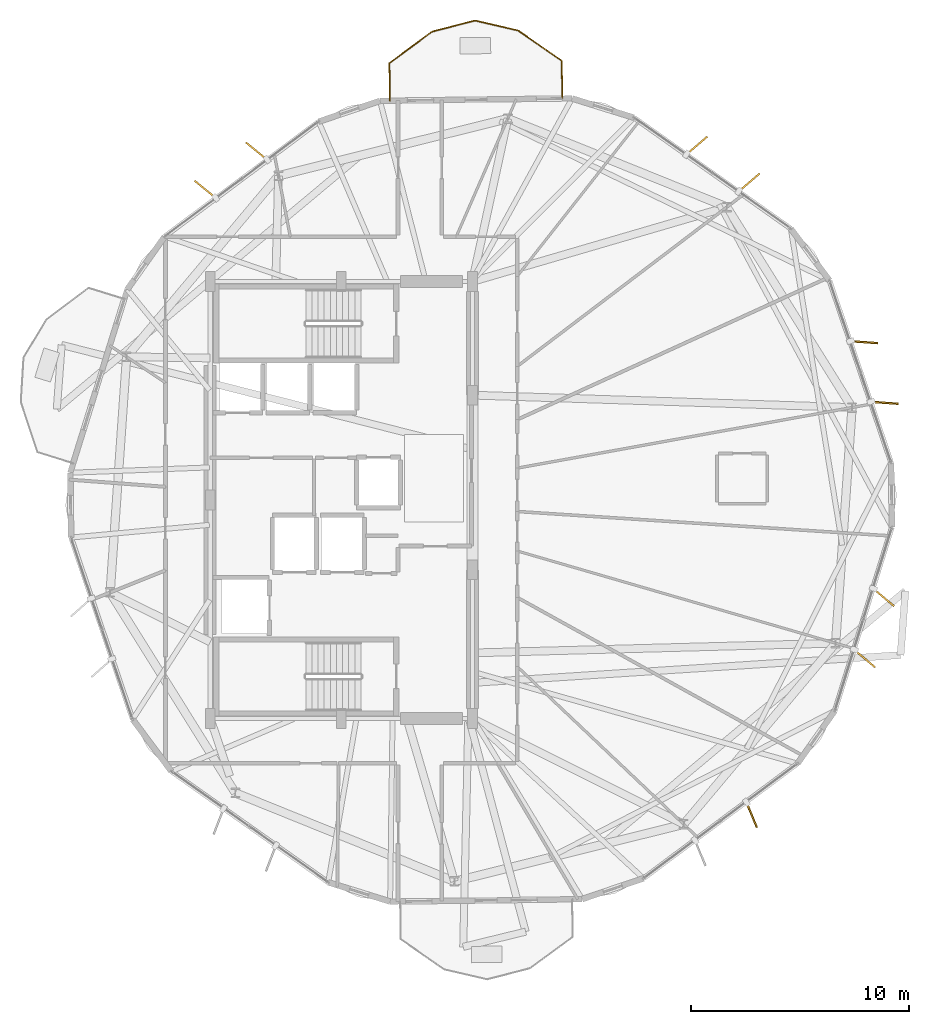
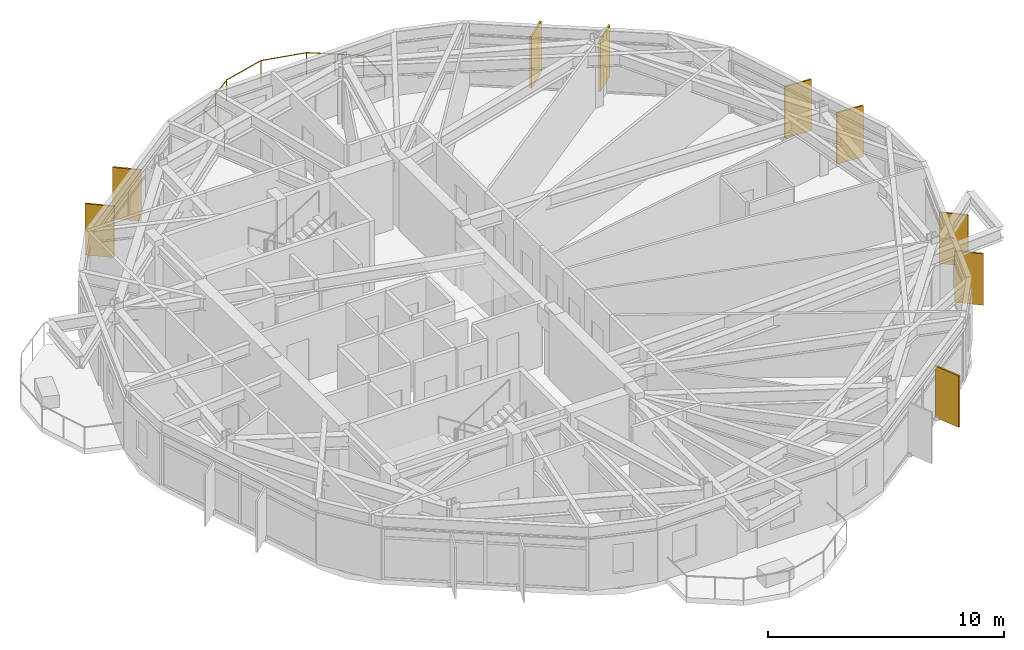
# One storey, part 27 of 27: 9 shading devices, 1 railing.
"""IFC4 building model written with IfcOpenShell, lengths in metres."""

from ifc_helpers import new_model, si_unit, direction, frame, origin, origin_2d, place, context, subcontext, project, spatial, rectangle, circle, extrude, material, layer, layer_set, type_object, element, save


model = new_model("IFC4")

# Units and contexts
model_context = context("Model", 3, precision=1e-05, world=origin(), true_north=direction((0.0, 1.0)))
body_context = subcontext(model_context, "Body", "Model", "MODEL_VIEW")
ifc_project = project(units=[si_unit("LENGTHUNIT", "METRE"), si_unit("AREAUNIT", "SQUARE_METRE"), si_unit("VOLUMEUNIT", "CUBIC_METRE"), si_unit("PLANEANGLEUNIT", "RADIAN"), si_unit("MASSUNIT", "GRAM", prefix="KILO")], contexts=[model_context])

# Site, building, storey
site_placement = place(None, origin())
site = spatial("IfcSite", under=ifc_project, at=site_placement, CompositionType="ELEMENT")
building_placement = place(site_placement, origin())
building = spatial("IfcBuilding", under=site, at=building_placement, Name="Soratama Intermodal Tower", CompositionType="ELEMENT")
storey_placement = place(building_placement, frame((0.0, 0.0, 167.800048828125)))
storey = spatial("IfcBuildingStorey", under=building, at=storey_placement, Name="L41", CompositionType="ELEMENT", Elevation=167.800048828125)

# Railing
ifc_material_1 = material(Name="Laminated glass and stainless steel balustrade", Category="steel")
railing_type = type_object("IfcRailingType", Name="RL-BAL-1150", PredefinedType="BALUSTRADE", material=ifc_material_1)
railing_placement = place(storey_placement, frame((40.82421875, 43.278076171875, 0.0)))
element("IfcRailing", 1, at=railing_placement, inside=storey, type_object=railing_type, Name="L41 Balcony Balustrade 1", PredefinedType="BALUSTRADE", context=body_context, shape_type="SweptSolid", body=[
    extrude(circle(Radius=0.02392578125, at=origin_2d()), frame((0.0, 0.0, 1.1259765625), z_axis=(-0.01263385816, 0.999920189629, 0.0), x_axis=(-0.999920189629, -0.01263385816, 0.0)), (0.0, 0.0, 1.0), 1.719970703125),
    extrude(circle(Radius=0.02392578125, at=origin_2d()), frame((-0.021728515625, 1.7197265625, 1.1259765625), z_axis=(0.805182180054, 0.59302753471, 0.0), x_axis=(-0.59302753471, 0.805182180054, 0.0)), (0.0, 0.0, 1.0), 2.42822265625),
    extrude(circle(Radius=0.02392578125, at=origin_2d()), frame((1.933349609375, 3.15966796875, 1.1259765625), z_axis=(0.968035813153, 0.250812010186, 0.0), x_axis=(-0.250812010186, 0.968035813153, 0.0)), (0.0, 0.0, 1.0), 2.031494140625),
    extrude(circle(Radius=0.02392578125, at=origin_2d()), frame((3.89990234375, 3.669189453125, 1.1259765625), z_axis=(0.974037612376, -0.226386240034, 0.0), x_axis=(0.226386240034, 0.974037612376, 0.0)), (0.0, 0.0, 1.0), 2.03173828125),
    extrude(circle(Radius=0.02392578125, at=origin_2d()), frame((5.87890625, 3.209228515625, 1.1259765625), z_axis=(0.81980310967, -0.572645493631, 0.0), x_axis=(0.572645493631, 0.81980310967, 0.0)), (0.0, 0.0, 1.0), 2.427978515625),
    extrude(circle(Radius=0.02392578125, at=origin_2d()), frame((7.869384765625, 1.81884765625, 1.1259765625), z_axis=(0.012491926975, -0.999921972836, 0.0), x_axis=(0.999921972836, 0.012491926975, 0.0)), (0.0, 0.0, 1.0), 1.719970703125),
    extrude(circle(Radius=0.02099609375, at=origin_2d()), origin(), (0.0, 0.0, 1.0), 1.101806640625),
    extrude(circle(Radius=0.02099609375, at=origin_2d()), frame((-0.021728515625, 1.7197265625, 0.0)), (0.0, 0.0, 1.0), 1.101806640625),
    extrude(circle(Radius=0.02099609375, at=origin_2d()), frame((0.955810546875, 2.439697265625, 0.0)), (0.0, 0.0, 1.0), 1.101806640625),
    extrude(circle(Radius=0.02099609375, at=origin_2d()), frame((1.933349609375, 3.15966796875, 0.0)), (0.0, 0.0, 1.0), 1.101806640625),
    extrude(circle(Radius=0.02099609375, at=origin_2d()), frame((3.89990234375, 3.669189453125, 0.0)), (0.0, 0.0, 1.0), 1.101806640625),
    extrude(circle(Radius=0.02099609375, at=origin_2d()), frame((5.87890625, 3.209228515625, 0.0)), (0.0, 0.0, 1.0), 1.101806640625),
    extrude(circle(Radius=0.02099609375, at=origin_2d()), frame((6.8740234375, 2.51416015625, 0.0)), (0.0, 0.0, 1.0), 1.101806640625),
    extrude(circle(Radius=0.02099609375, at=origin_2d()), frame((7.869384765625, 1.81884765625, 0.0)), (0.0, 0.0, 1.0), 1.101806640625),
    extrude(circle(Radius=0.02099609375, at=origin_2d()), frame((7.890869140625, 0.09912109375, 0.0)), (0.0, 0.0, 1.0), 1.101806640625),
])

# Shading devices
ifc_material_2 = material(Name="Champagne anodised aluminium solar fin", Category="aluminium")
ifc_layer = layer(ifc_material_2, 0.080078125)
ifc_layer_set = layer_set([ifc_layer], Name="Champagne anodised aluminium solar fin")
shading_device_type = type_object("IfcShadingDeviceType", Name="SH-FIN-1250", PredefinedType="USERDEFINED", material=ifc_layer_set)
for number, where, z_axis, x_axis, name in (
    (2, (57.272216796875, 39.5361328125, 0.02001953125), (0.0, 0.0, 1.0), (0.759157714243, 0.650906725196, 0.0), "L41 Solar Fin F01-1"),
    (3, (54.8798828125, 41.228759765625, 0.02001953125), (0.0, 0.0, 1.0), (0.759157714243, 0.650906725196, 0.0), "L41 Solar Fin F01-2"),
    (4, (34.71533203125, 40.9755859375, 0.02001953125), (0.0, 0.0, 1.0), (-0.77527531223, 0.631623456061, 0.0), "L41 Solar Fin F03-1"),
    (5, (32.366455078125, 39.223388671875, 0.02001953125), (0.0, 0.0, 1.0), (-0.77527531223, 0.631623456061, 0.0), "L41 Solar Fin F03-2"),
    (6, (57.381591796875, 10.588623046875, 0.02001953125), (0.0, 0.0, 1.0), (0.384456447386, -0.923143130865, 0.0), "L41 Solar Fin F08-2"),
    (7, (62.559814453125, 17.740966796875, 0.02001953125), (0.0, 0.0, 1.0), (0.764808968487, -0.64425712392, 0.0), "L41 Solar Fin F09-1"),
    (8, (63.430419921875, 20.539306640625, 0.02001953125), (0.0, 0.0, 1.0), (0.764808968487, -0.64425712392, 0.0), "L41 Solar Fin F09-2"),
    (9, (63.472900390625, 29.448486328125, 0.02001953125), (0.0, 0.0, 1.0), (0.997428289081, -0.0716715295, 0.0), "L41 Solar Fin F10-1"),
    (10, (62.532470703125, 32.22412109375, 0.02001953125), (0.0, 0.0, 1.0), (0.997428289081, -0.0716715295, 0.0), "L41 Solar Fin F10-2"),
):
    element("IfcShadingDevice", number, at=place(storey_placement, frame(where, z_axis=z_axis, x_axis=x_axis)), inside=storey, type_object=shading_device_type, Name=name, ObjectType="FIN", PredefinedType="USERDEFINED", context=body_context, shape_type="SweptSolid", body=[
        extrude(rectangle(XDim=1.25, YDim=0.080078125, at=origin_2d()), origin(), (0.0, 0.0, 1.0), 2.658935546875),
    ])

save(model, "model.ifc")
